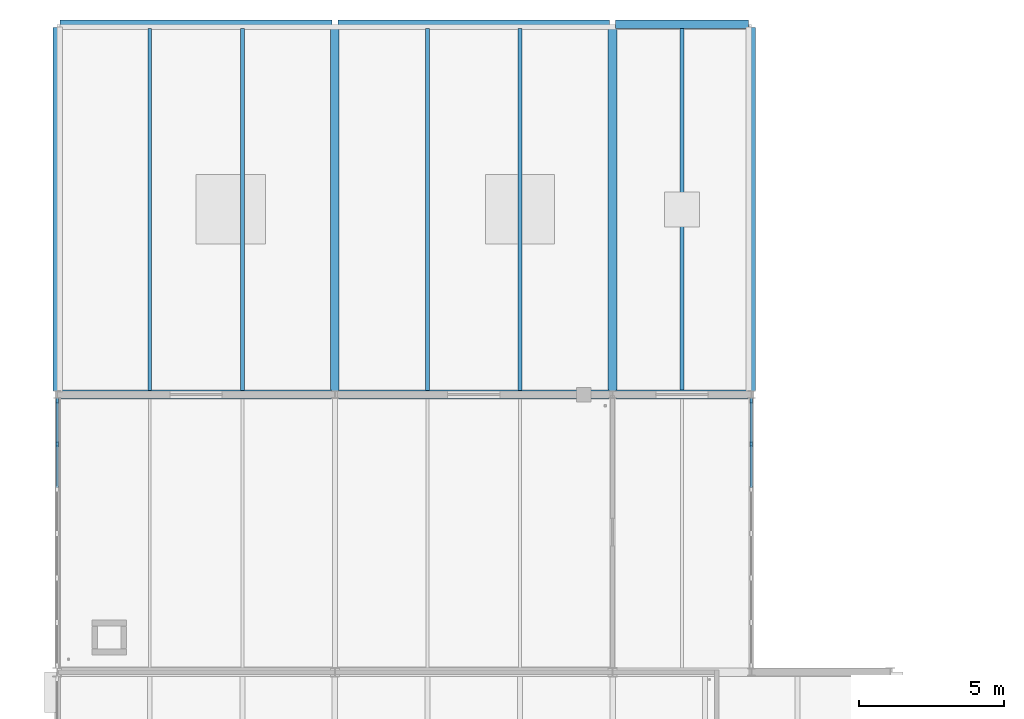
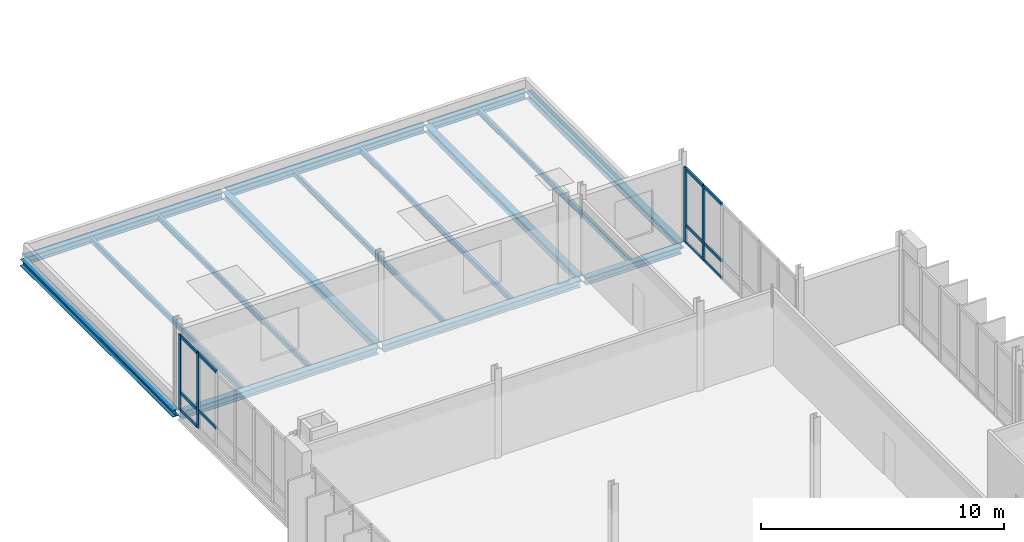
# One storey, part 38 of 107: 15 beams, 15 members, 2 elements without a shape of their own.
"""IFC4 building model written with IfcOpenShell, lengths in metres."""

from ifc_helpers import new_model, si_unit, direction, frame, origin, origin_2d, place, context, subcontext, project, spatial, rectangle, i_section, extrude, material, material_profile, profile_set, type_object, element, aggregate, save


model = new_model("IFC4")

# Units and contexts
model_context = context("Model", 3, precision=1e-05, world=origin(), true_north=direction((0.0, 1.0)))
body_context = subcontext(model_context, "Body", "Model", "MODEL_VIEW")
ifc_project = project(units=[si_unit("LENGTHUNIT", "METRE"), si_unit("AREAUNIT", "SQUARE_METRE"), si_unit("VOLUMEUNIT", "CUBIC_METRE"), si_unit("PLANEANGLEUNIT", "RADIAN"), si_unit("MASSUNIT", "GRAM", prefix="KILO")], contexts=[model_context])

# Site, building, storey
site_placement = place(None, origin())
site = spatial("IfcSite", under=ifc_project, at=site_placement, CompositionType="ELEMENT")
building_placement = place(site_placement, origin())
building = spatial("IfcBuilding", under=site, at=building_placement, Name="Dunescarp Central Library", CompositionType="ELEMENT")
storey_placement = place(building_placement, frame((0.0, 0.0, 5.10009765625)))
storey = spatial("IfcBuildingStorey", under=building, at=storey_placement, Name="L01", CompositionType="ELEMENT", Elevation=5.10009765625)

# Curtain wall, members
ifc_material_1 = material(Name="Marine-grade anodised aluminium 6063-T6", Category="aluminium")
curtain_wall_type = type_object("IfcCurtainWallType", Name="ARC-CW-STICK", PredefinedType="NOTDEFINED", material=ifc_material_1)
curtain_wall_1_placement = place(storey_placement, origin())
curtain_wall_1 = element("IfcCurtainWall", 1, at=curtain_wall_1_placement, inside=storey, type_object=curtain_wall_type, Name="L01 curtain wall CW-V4N-142", PredefinedType="NOTDEFINED")
ifc_material_profile_1 = material_profile(ifc_material_1, rectangle(XDim=0.080078125, YDim=0.179931640625, at=origin_2d()), Name="AL 80x180")
ifc_profile_set_1 = profile_set([ifc_material_profile_1], Name="Marine-grade anodised aluminium 6063-T6")
member_type_1 = type_object("IfcMemberType", Name="ARC-CWM-180", PredefinedType="MULLION", material=ifc_profile_set_1)
member_1_placement = place(storey_placement, frame((0.0, 97.4833984375, 0.0), z_axis=(0.0, 0.0, 1.0), x_axis=(-1.0, 0.0, 0.0)))
member_1 = element("IfcMember", 2, at=member_1_placement, type_object=member_type_1, Name="CW-V4N-142 mullion 6", PredefinedType="MULLION", context=body_context, shape_type="SweptSolid", body=[
    extrude(rectangle(XDim=0.080078125, YDim=0.179931640625, at=origin_2d()), origin(), (0.0, 0.0, 1.0), 3.764892578125),
])
member_2_placement = place(storey_placement, frame((0.0, 98.985107421875, 0.0), z_axis=(0.0, 0.0, 1.0), x_axis=(-1.0, 0.0, 0.0)))
member_2 = element("IfcMember", 3, at=member_2_placement, type_object=member_type_1, Name="CW-V4N-142 mullion 7", PredefinedType="MULLION", context=body_context, shape_type="SweptSolid", body=[
    extrude(rectangle(XDim=0.080078125, YDim=0.179931640625, at=origin_2d()), origin(), (0.0, 0.0, 1.0), 3.764892578125),
])

curtain_wall_2_placement = place(storey_placement, origin())
curtain_wall_2 = element("IfcCurtainWall", 4, at=curtain_wall_2_placement, inside=storey, type_object=curtain_wall_type, Name="L01 curtain wall CW-V4N-143", PredefinedType="NOTDEFINED")
member_3_placement = place(storey_placement, frame((24.0, 98.985107421875, 0.0), z_axis=(0.0, 0.0, 1.0), x_axis=(1.0, 0.0, 0.0)))
member_3 = element("IfcMember", 5, at=member_3_placement, type_object=member_type_1, Name="CW-V4N-143 mullion 1", PredefinedType="MULLION", context=body_context, shape_type="SweptSolid", body=[
    extrude(rectangle(XDim=0.080078125, YDim=0.179931640625, at=origin_2d()), origin(), (0.0, 0.0, 1.0), 3.764892578125),
])
member_4_placement = place(storey_placement, frame((24.0, 97.4833984375, 0.0), z_axis=(0.0, 0.0, 1.0), x_axis=(1.0, 0.0, 0.0)))
member_4 = element("IfcMember", 6, at=member_4_placement, type_object=member_type_1, Name="CW-V4N-143 mullion 2", PredefinedType="MULLION", context=body_context, shape_type="SweptSolid", body=[
    extrude(rectangle(XDim=0.080078125, YDim=0.179931640625, at=origin_2d()), origin(), (0.0, 0.0, 1.0), 3.764892578125),
])

# Member
ifc_material_profile_2 = material_profile(ifc_material_1, rectangle(XDim=0.080078125, YDim=0.14990234375, at=origin_2d()), Name="AL 80x150")
ifc_profile_set_2 = profile_set([ifc_material_profile_2], Name="Marine-grade anodised aluminium 6063-T6")
member_type_2 = type_object("IfcMemberType", Name="ARC-CWT-150", PredefinedType="USERDEFINED", material=ifc_profile_set_2)
member_5_placement = place(storey_placement, frame((0.0, 95.981689453125, 0.89990234375), z_axis=(0.0, 1.0, 0.0), x_axis=(-1.0, 0.0, 0.0)))
member_5 = element("IfcMember", 7, at=member_5_placement, type_object=member_type_2, Name="CW-V4N-142 transom 5.2", ObjectType="TRANSOM", PredefinedType="USERDEFINED", context=body_context, shape_type="SweptSolid", body=[
    extrude(rectangle(XDim=0.080078125, YDim=0.14990234375, at=origin_2d()), origin(), (0.0, 0.0, 1.0), 1.461669921875),
])

member_6_placement = place(storey_placement, frame((0.0, 95.981689453125, 3.724853515625), z_axis=(0.0, 1.0, 0.0), x_axis=(-1.0, 0.0, 0.0)))
member_6 = element("IfcMember", 8, at=member_6_placement, type_object=member_type_2, Name="CW-V4N-142 transom 5.3", ObjectType="TRANSOM", PredefinedType="USERDEFINED", context=body_context, shape_type="SweptSolid", body=[
    extrude(rectangle(XDim=0.080078125, YDim=0.14990234375, at=origin_2d()), origin(), (0.0, 0.0, 1.0), 1.461669921875),
])

member_7_placement = place(storey_placement, frame((0.0, 97.5234375, 0.039794921875), z_axis=(0.0, 1.0, 0.0), x_axis=(-1.0, 0.0, 0.0)))
member_7 = element("IfcMember", 9, at=member_7_placement, type_object=member_type_2, Name="CW-V4N-142 transom 6.1", ObjectType="TRANSOM", PredefinedType="USERDEFINED", context=body_context, shape_type="SweptSolid", body=[
    extrude(rectangle(XDim=0.080078125, YDim=0.14990234375, at=origin_2d()), origin(), (0.0, 0.0, 1.0), 1.421630859375),
])

member_8_placement = place(storey_placement, frame((0.0, 97.5234375, 0.89990234375), z_axis=(0.0, 1.0, 0.0), x_axis=(-1.0, 0.0, 0.0)))
member_8 = element("IfcMember", 10, at=member_8_placement, type_object=member_type_2, Name="CW-V4N-142 transom 6.2", ObjectType="TRANSOM", PredefinedType="USERDEFINED", context=body_context, shape_type="SweptSolid", body=[
    extrude(rectangle(XDim=0.080078125, YDim=0.14990234375, at=origin_2d()), origin(), (0.0, 0.0, 1.0), 1.421630859375),
])

member_9_placement = place(storey_placement, frame((0.0, 97.5234375, 3.724853515625), z_axis=(0.0, 1.0, 0.0), x_axis=(-1.0, 0.0, 0.0)))
member_9 = element("IfcMember", 11, at=member_9_placement, type_object=member_type_2, Name="CW-V4N-142 transom 6.3", ObjectType="TRANSOM", PredefinedType="USERDEFINED", context=body_context, shape_type="SweptSolid", body=[
    extrude(rectangle(XDim=0.080078125, YDim=0.14990234375, at=origin_2d()), origin(), (0.0, 0.0, 1.0), 1.421630859375),
])

aggregate(curtain_wall_1, [member_1, member_2, member_5, member_6, member_7, member_8, member_9])

member_10_placement = place(storey_placement, frame((24.0, 98.945068359375, 0.039794921875), z_axis=(0.0, -1.0, 0.0), x_axis=(1.0, 0.0, 0.0)))
member_10 = element("IfcMember", 12, at=member_10_placement, type_object=member_type_2, Name="CW-V4N-143 transom 1.1", ObjectType="TRANSOM", PredefinedType="USERDEFINED", context=body_context, shape_type="SweptSolid", body=[
    extrude(rectangle(XDim=0.080078125, YDim=0.14990234375, at=origin_2d()), origin(), (0.0, 0.0, 1.0), 1.421630859375),
])

member_11_placement = place(storey_placement, frame((24.0, 98.945068359375, 0.89990234375), z_axis=(0.0, -1.0, 0.0), x_axis=(1.0, 0.0, 0.0)))
member_11 = element("IfcMember", 13, at=member_11_placement, type_object=member_type_2, Name="CW-V4N-143 transom 1.2", ObjectType="TRANSOM", PredefinedType="USERDEFINED", context=body_context, shape_type="SweptSolid", body=[
    extrude(rectangle(XDim=0.080078125, YDim=0.14990234375, at=origin_2d()), origin(), (0.0, 0.0, 1.0), 1.421630859375),
])

member_12_placement = place(storey_placement, frame((24.0, 98.945068359375, 3.724853515625), z_axis=(0.0, -1.0, 0.0), x_axis=(1.0, 0.0, 0.0)))
member_12 = element("IfcMember", 14, at=member_12_placement, type_object=member_type_2, Name="CW-V4N-143 transom 1.3", ObjectType="TRANSOM", PredefinedType="USERDEFINED", context=body_context, shape_type="SweptSolid", body=[
    extrude(rectangle(XDim=0.080078125, YDim=0.14990234375, at=origin_2d()), origin(), (0.0, 0.0, 1.0), 1.421630859375),
])

member_13_placement = place(storey_placement, frame((24.0, 97.443359375, 0.039794921875), z_axis=(0.0, -1.0, 0.0), x_axis=(1.0, 0.0, 0.0)))
member_13 = element("IfcMember", 15, at=member_13_placement, type_object=member_type_2, Name="CW-V4N-143 transom 2.1", ObjectType="TRANSOM", PredefinedType="USERDEFINED", context=body_context, shape_type="SweptSolid", body=[
    extrude(rectangle(XDim=0.080078125, YDim=0.14990234375, at=origin_2d()), origin(), (0.0, 0.0, 1.0), 1.461669921875),
])

member_14_placement = place(storey_placement, frame((24.0, 97.443359375, 0.89990234375), z_axis=(0.0, -1.0, 0.0), x_axis=(1.0, 0.0, 0.0)))
member_14 = element("IfcMember", 16, at=member_14_placement, type_object=member_type_2, Name="CW-V4N-143 transom 2.2", ObjectType="TRANSOM", PredefinedType="USERDEFINED", context=body_context, shape_type="SweptSolid", body=[
    extrude(rectangle(XDim=0.080078125, YDim=0.14990234375, at=origin_2d()), origin(), (0.0, 0.0, 1.0), 1.461669921875),
])

member_15_placement = place(storey_placement, frame((24.0, 97.443359375, 3.724853515625), z_axis=(0.0, -1.0, 0.0), x_axis=(1.0, 0.0, 0.0)))
member_15 = element("IfcMember", 17, at=member_15_placement, type_object=member_type_2, Name="CW-V4N-143 transom 2.3", ObjectType="TRANSOM", PredefinedType="USERDEFINED", context=body_context, shape_type="SweptSolid", body=[
    extrude(rectangle(XDim=0.080078125, YDim=0.14990234375, at=origin_2d()), origin(), (0.0, 0.0, 1.0), 1.461669921875),
])

aggregate(curtain_wall_2, [member_3, member_4, member_10, member_11, member_12, member_13, member_14, member_15])

# Beams
ifc_material_2 = material(Name="Steel S355JR", Category="steel")
ifc_material_profile_3 = material_profile(ifc_material_2, i_section(OverallWidth=0.300048828125, OverallDepth=0.330078125, WebThickness=0.009521484375, FlangeThickness=0.0166015625, at=origin_2d()), Name="HEA 340")
ifc_profile_set_3 = profile_set([ifc_material_profile_3], Name="Steel S355JR")
beam_type_1 = type_object("IfcBeamType", Name="STR-BM-HEA340", PredefinedType="BEAM", material=ifc_profile_set_3)
for number, where, z_axis, x_axis, name in (
    (18, (0.0, 99.326904296875, -0.385009765625), (0.0, 1.0, 0.0), (-1.0, 0.0, 0.0), "L01 girder BM-L01-20040"),
    (19, (9.60009765625, 99.326904296875, -0.385009765625), (0.0, 1.0, 0.0), (-1.0, 0.0, 0.0), "L01 girder BM-L01-20041"),
    (20, (19.199951171875, 99.326904296875, -0.385009765625), (0.0, 1.0, 0.0), (-1.0, 0.0, 0.0), "L01 girder BM-L01-20045"),
    (21, (24.0, 99.326904296875, -0.385009765625), (0.0, 1.0, 0.0), (-1.0, 0.0, 0.0), "L01 girder BM-L01-20049"),
):
    element("IfcBeam", number, at=place(storey_placement, frame(where, z_axis=z_axis, x_axis=x_axis)), inside=storey, type_object=beam_type_1, Name=name, PredefinedType="BEAM", context=body_context, shape_type="SweptSolid", body=[
        extrude(i_section(OverallWidth=0.300048828125, OverallDepth=0.330078125, WebThickness=0.009521484375, FlangeThickness=0.0166015625, at=origin_2d()), origin(), (0.0, 0.0, 1.0), 12.571044921875),
    ])
ifc_material_profile_4 = material_profile(ifc_material_2, i_section(OverallWidth=0.300048828125, OverallDepth=0.360107421875, WebThickness=0.012451171875, FlangeThickness=0.0224609375, at=origin_2d()), Name="HEB 360")
ifc_profile_set_4 = profile_set([ifc_material_profile_4], Name="Steel S355JR")
beam_type_2 = type_object("IfcBeamType", Name="STR-BM-HEB360", PredefinedType="BEAM", material=ifc_profile_set_4)
beam_1_placement = place(storey_placement, frame((0.125, 99.199951171875, -0.400146484375), z_axis=(1.0, 0.0, 0.0), x_axis=(0.0, 1.0, 0.0)))
element("IfcBeam", 22, at=beam_1_placement, inside=storey, type_object=beam_type_2, Name="L01 girder BM-L01-1310", PredefinedType="BEAM", context=body_context, shape_type="SweptSolid", body=[
    extrude(i_section(OverallWidth=0.300048828125, OverallDepth=0.360107421875, WebThickness=0.012451171875, FlangeThickness=0.0224609375, at=origin_2d()), origin(), (0.0, 0.0, 1.0), 9.35009765625),
])
beam_2_placement = place(storey_placement, frame((9.72509765625, 99.199951171875, -0.400146484375), z_axis=(1.0, 0.0, 0.0), x_axis=(0.0, 1.0, 0.0)))
element("IfcBeam", 23, at=beam_2_placement, inside=storey, type_object=beam_type_2, Name="L01 girder BM-L01-1315", PredefinedType="BEAM", context=body_context, shape_type="SweptSolid", body=[
    extrude(i_section(OverallWidth=0.300048828125, OverallDepth=0.360107421875, WebThickness=0.012451171875, FlangeThickness=0.0224609375, at=origin_2d()), origin(), (0.0, 0.0, 1.0), 9.349853515625),
])
beam_3_placement = place(storey_placement, frame((19.324951171875, 99.199951171875, -0.400146484375), z_axis=(1.0, 0.0, 0.0), x_axis=(0.0, 1.0, 0.0)))
element("IfcBeam", 24, at=beam_3_placement, inside=storey, type_object=beam_type_2, Name="L01 girder BM-L01-1319", PredefinedType="BEAM", context=body_context, shape_type="SweptSolid", body=[
    extrude(i_section(OverallWidth=0.300048828125, OverallDepth=0.360107421875, WebThickness=0.012451171875, FlangeThickness=0.0224609375, at=origin_2d()), origin(), (0.0, 0.0, 1.0), 4.550048828125),
])
beam_4_placement = place(storey_placement, frame((0.10009765625, 112.0, -0.400146484375), z_axis=(1.0, 0.0, 0.0), x_axis=(0.0, 1.0, 0.0)))
element("IfcBeam", 25, at=beam_4_placement, inside=storey, type_object=beam_type_2, Name="L01 girder BM-L01-20039", PredefinedType="BEAM", context=body_context, shape_type="SweptSolid", body=[
    extrude(i_section(OverallWidth=0.300048828125, OverallDepth=0.360107421875, WebThickness=0.012451171875, FlangeThickness=0.0224609375, at=origin_2d()), origin(), (0.0, 0.0, 1.0), 9.39990234375),
])
beam_5_placement = place(storey_placement, frame((9.699951171875, 112.0, -0.400146484375), z_axis=(1.0, 0.0, 0.0), x_axis=(0.0, 1.0, 0.0)))
element("IfcBeam", 26, at=beam_5_placement, inside=storey, type_object=beam_type_2, Name="L01 girder BM-L01-20044", PredefinedType="BEAM", context=body_context, shape_type="SweptSolid", body=[
    extrude(i_section(OverallWidth=0.300048828125, OverallDepth=0.360107421875, WebThickness=0.012451171875, FlangeThickness=0.0224609375, at=origin_2d()), origin(), (0.0, 0.0, 1.0), 9.400146484375),
])
beam_6_placement = place(storey_placement, frame((19.300048828125, 112.0, -0.400146484375), z_axis=(1.0, 0.0, 0.0), x_axis=(0.0, 1.0, 0.0)))
element("IfcBeam", 27, at=beam_6_placement, inside=storey, type_object=beam_type_2, Name="L01 girder BM-L01-20048", PredefinedType="BEAM", context=body_context, shape_type="SweptSolid", body=[
    extrude(i_section(OverallWidth=0.300048828125, OverallDepth=0.360107421875, WebThickness=0.012451171875, FlangeThickness=0.0224609375, at=origin_2d()), origin(), (0.0, 0.0, 1.0), 4.599853515625),
])
ifc_material_profile_5 = material_profile(ifc_material_2, i_section(OverallWidth=0.135009765625, OverallDepth=0.27001953125, WebThickness=0.006591796875, FlangeThickness=0.01025390625, at=origin_2d()), Name="IPE 270")
ifc_profile_set_5 = profile_set([ifc_material_profile_5], Name="Steel S355JR")
beam_type_3 = type_object("IfcBeamType", Name="STR-JS-IPE270", PredefinedType="JOIST", material=ifc_profile_set_5)
for number, where, z_axis, x_axis, name in (
    (28, (3.199951171875, 99.347900390625, -0.35498046875), (0.0, 1.0, 0.0), (-1.0, 0.0, 0.0), "L01 joist JS-L01-20042"),
    (29, (6.39990234375, 99.347900390625, -0.35498046875), (0.0, 1.0, 0.0), (-1.0, 0.0, 0.0), "L01 joist JS-L01-20043"),
    (30, (12.800048828125, 99.347900390625, -0.35498046875), (0.0, 1.0, 0.0), (-1.0, 0.0, 0.0), "L01 joist JS-L01-20046"),
    (31, (16.0, 99.347900390625, -0.35498046875), (0.0, 1.0, 0.0), (-1.0, 0.0, 0.0), "L01 joist JS-L01-20047"),
    (32, (21.60009765625, 99.347900390625, -0.35498046875), (0.0, 1.0, 0.0), (-1.0, 0.0, 0.0), "L01 joist JS-L01-20050"),
):
    element("IfcBeam", number, at=place(storey_placement, frame(where, z_axis=z_axis, x_axis=x_axis)), inside=storey, type_object=beam_type_3, Name=name, PredefinedType="JOIST", context=body_context, shape_type="SweptSolid", body=[
        extrude(i_section(OverallWidth=0.135009765625, OverallDepth=0.27001953125, WebThickness=0.006591796875, FlangeThickness=0.01025390625, at=origin_2d()), origin(), (0.0, 0.0, 1.0), 12.504150390625),
    ])

save(model, "model.ifc")
